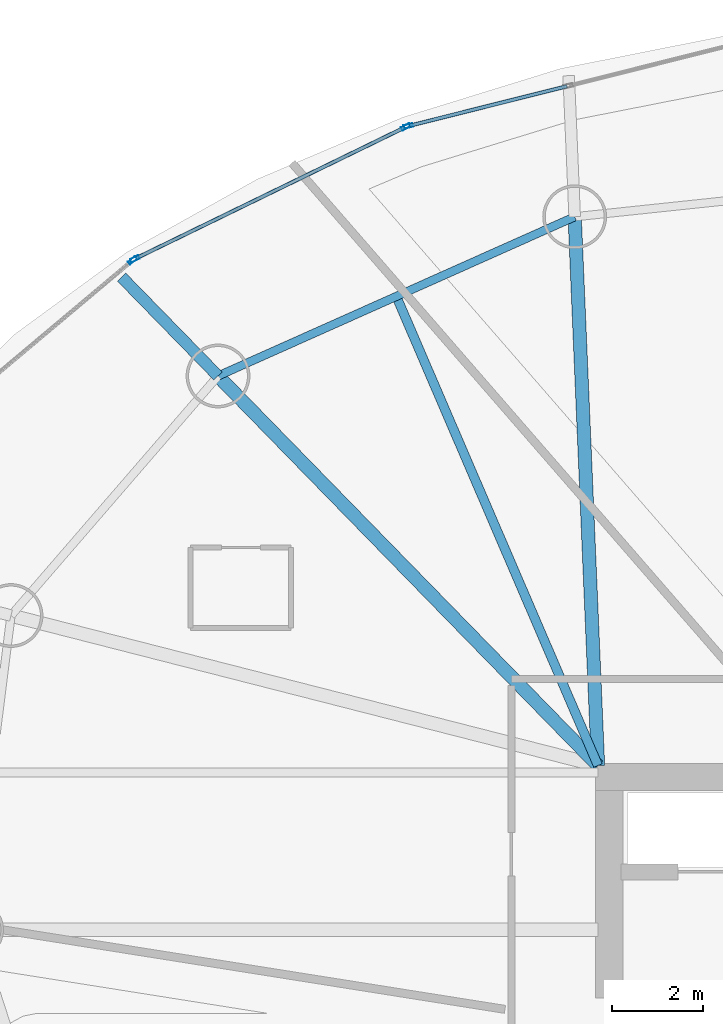
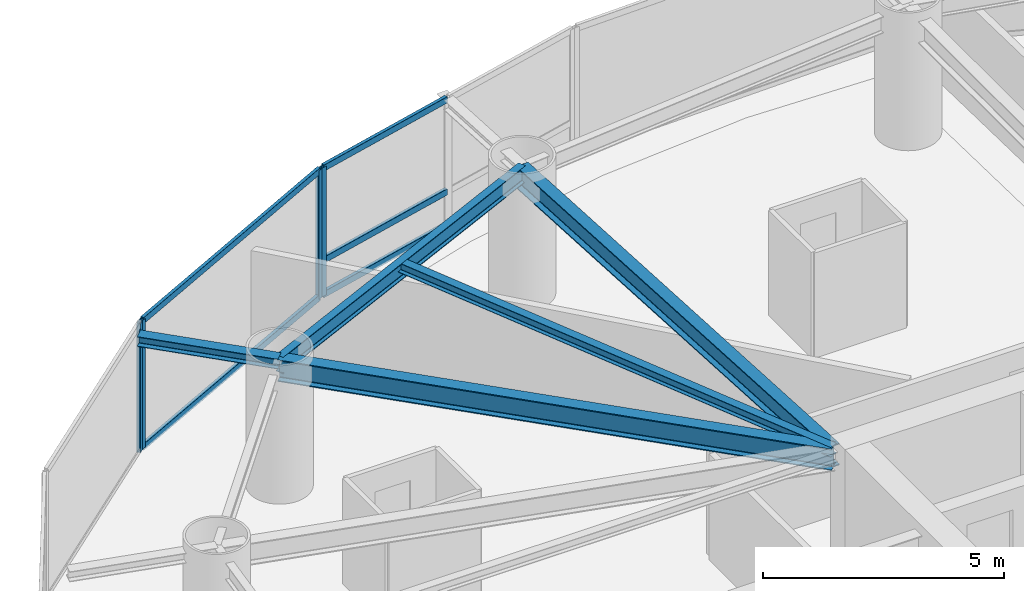
# One storey, part 8 of 20: 9 members, 5 beams, 3 elements without a shape of their own.
"""IFC4 building model written with IfcOpenShell, lengths in metres."""

from ifc_helpers import new_model, si_unit, direction, frame, origin, origin_2d, place, context, subcontext, project, spatial, hollow_rectangle, i_section, extrude, material, layer, layer_set, material_profile, profile_set, type_object, element, aggregate, save


model = new_model("IFC4")

# Units and contexts
model_context = context("Model", 3, precision=1e-05, world=origin(), true_north=direction((0.0, 1.0)))
body_context = subcontext(model_context, "Body", "Model", "MODEL_VIEW")
ifc_project = project(units=[si_unit("LENGTHUNIT", "METRE"), si_unit("AREAUNIT", "SQUARE_METRE"), si_unit("VOLUMEUNIT", "CUBIC_METRE"), si_unit("PLANEANGLEUNIT", "RADIAN"), si_unit("MASSUNIT", "GRAM", prefix="KILO")], contexts=[model_context])

# Site, building, storey
site_placement = place(None, origin())
site = spatial("IfcSite", under=ifc_project, at=site_placement, CompositionType="ELEMENT")
building_placement = place(site_placement, origin())
building = spatial("IfcBuilding", under=site, at=building_placement, Name="Bramvorn Convention Spire", CompositionType="ELEMENT")
storey_placement = place(building_placement, frame((0.0, 0.0, 113.300048828125)))
storey = spatial("IfcBuildingStorey", under=building, at=storey_placement, Name="L27", CompositionType="ELEMENT", Elevation=113.300048828125)

# Beams
ifc_material_1 = material(Name="Steel CSA G40.21 Grade 350 (350W)", Category="steel")
ifc_material_profile_1 = material_profile(ifc_material_1, i_section(OverallWidth=0.201904296875, OverallDepth=0.2470703125, WebThickness=0.00732421875, FlangeThickness=0.010986328125, FilletRadius=0.011962890625, at=origin_2d()))
ifc_profile_set_1 = profile_set([ifc_material_profile_1], Name="Steel CSA G40.21 Grade 350 (350W) - W250X49")
beam_type_1 = type_object("IfcBeamType", Name="BM-W250X49", PredefinedType="JOIST", material=ifc_profile_set_1)
beam_1_placement = place(storey_placement, frame((26.75, 33.449951171875, 3.136474609375), z_axis=(-0.394937739893, 0.918707886985, 0.0), x_axis=(-0.918707886985, -0.394937739893, 0.0)))
element("IfcBeam", 1, at=beam_1_placement, inside=storey, type_object=beam_type_1, Name="L27 composite floor joist 07", PredefinedType="JOIST", context=body_context, shape_type="SweptSolid", body=[
    extrude(i_section(OverallWidth=0.201904296875, OverallDepth=0.2470703125, WebThickness=0.00732421875, FlangeThickness=0.010986328125, FilletRadius=0.011962890625, at=origin_2d()), origin(), (0.0, 0.0, 1.0), 11.19384765625),
])
ifc_material_profile_2 = material_profile(ifc_material_1, i_section(OverallWidth=0.25390625, OverallDepth=0.2529296875, WebThickness=0.008544921875, FlangeThickness=0.01416015625, FilletRadius=0.011962890625, at=origin_2d()))
ifc_profile_set_2 = profile_set([ifc_material_profile_2], Name="Steel CSA G40.21 Grade 350 (350W) - W250X73")
beam_type_2 = type_object("IfcBeamType", Name="BM-W250X73", PredefinedType="BEAM", material=ifc_profile_set_2)
beam_2_placement = place(storey_placement, frame((18.420166015625, 41.9892578125, 3.133544921875), z_axis=(-0.698261365282, 0.71584290578, 0.0), x_axis=(-0.71584290578, -0.698261365282, 0.0)))
element("IfcBeam", 2, at=beam_2_placement, inside=storey, type_object=beam_type_2, Name="L27 slab-edge cantilever tip beam MC08", PredefinedType="BEAM", context=body_context, shape_type="SweptSolid", body=[
    extrude(i_section(OverallWidth=0.25390625, OverallDepth=0.2529296875, WebThickness=0.008544921875, FlangeThickness=0.01416015625, FilletRadius=0.011962890625, at=origin_2d()), origin(), (0.0, 0.0, 1.0), 3.027099609375),
])
ifc_material_profile_3 = material_profile(ifc_material_1, i_section(OverallWidth=0.180908203125, OverallDepth=0.4169921875, WebThickness=0.010986328125, FlangeThickness=0.018310546875, FilletRadius=0.01611328125, at=origin_2d()))
ifc_profile_set_3 = profile_set([ifc_material_profile_3], Name="Steel CSA G40.21 Grade 350 (350W) - W410X85")
beam_type_3 = type_object("IfcBeamType", Name="BM-W410X85", PredefinedType="JOIST", material=ifc_profile_set_3)
beam_3_placement = place(storey_placement, frame((26.23828125, 45.478759765625, 3.051513671875), z_axis=(-0.913169534701, -0.407579931908, 0.0), x_axis=(0.407579931908, -0.913169534701, 0.0)))
element("IfcBeam", 3, at=beam_3_placement, inside=storey, type_object=beam_type_3, Name="L27 mega-column ring beam 07", PredefinedType="JOIST", context=body_context, shape_type="SweptSolid", body=[
    extrude(i_section(OverallWidth=0.180908203125, OverallDepth=0.4169921875, WebThickness=0.010986328125, FlangeThickness=0.018310546875, FilletRadius=0.01611328125, at=origin_2d()), origin(), (0.0, 0.0, 1.0), 8.5615234375),
])
ifc_material_profile_4 = material_profile(ifc_material_1, i_section(OverallWidth=0.2919921875, OverallDepth=0.551025390625, WebThickness=0.01513671875, FlangeThickness=0.0244140625, FilletRadius=0.01904296875, at=origin_2d()))
ifc_profile_set_4 = profile_set([ifc_material_profile_4], Name="Steel CSA G40.21 Grade 350 (350W) - W530X182")
beam_type_4 = type_object("IfcBeamType", Name="BM-W530X182", PredefinedType="BEAM", material=ifc_profile_set_4)
beam_4_placement = place(storey_placement, frame((26.75, 33.449951171875, 2.984375), z_axis=(-0.042502657955, 0.999096353745, 0.0), x_axis=(-0.999096353745, -0.042502657955, 0.0)))
element("IfcBeam", 4, at=beam_4_placement, inside=storey, type_object=beam_type_4, Name="L27 radial floor girder MC07", PredefinedType="BEAM", context=body_context, shape_type="SweptSolid", body=[
    extrude(i_section(OverallWidth=0.2919921875, OverallDepth=0.551025390625, WebThickness=0.01513671875, FlangeThickness=0.0244140625, FilletRadius=0.01904296875, at=origin_2d()), origin(), (0.0, 0.0, 1.0), 12.039794921875),
])
beam_5_placement = place(storey_placement, frame((26.75, 33.449951171875, 2.984375), z_axis=(-0.698272445638, 0.715832097397, 0.0), x_axis=(-0.715832097397, -0.698272445638, 0.0)))
element("IfcBeam", 5, at=beam_5_placement, inside=storey, type_object=beam_type_4, Name="L27 radial floor girder MC08", PredefinedType="BEAM", context=body_context, shape_type="SweptSolid", body=[
    extrude(i_section(OverallWidth=0.2919921875, OverallDepth=0.551025390625, WebThickness=0.01513671875, FlangeThickness=0.0244140625, FilletRadius=0.01904296875, at=origin_2d()), origin(), (0.0, 0.0, 1.0), 11.92919921875),
])

# Curtain wall, member
ifc_material_2 = material(Name="Anodised Bronze Unitised Curtain Wall", Category="aluminium")
ifc_layer = layer(ifc_material_2, 0.179931640625)
ifc_layer_set = layer_set([ifc_layer], Name="Anodised Bronze Unitised Curtain Wall - CW-HTL-FRIT")
curtain_wall_type = type_object("IfcCurtainWallType", Name="CW-HTL-FRIT", PredefinedType="USERDEFINED", material=ifc_layer_set)
curtain_wall_1_placement = place(storey_placement, origin())
curtain_wall_1 = element("IfcCurtainWall", 6, at=curtain_wall_1_placement, inside=storey, type_object=curtain_wall_type, Name="L27 fritted glass curtain wall 09", ObjectType="UNITISED CURTAIN WALL", PredefinedType="USERDEFINED")
ifc_material_3 = material(Name="Anodised Bronze Aluminium 6063-T6", Category="aluminium")
ifc_material_profile_5 = material_profile(ifc_material_3, hollow_rectangle(XDim=0.080078125, YDim=0.199951171875, WallThickness=0.00390625, InnerFilletRadius=0.0009765625, OuterFilletRadius=0.00390625, at=origin_2d()))
ifc_profile_set_5 = profile_set([ifc_material_profile_5], Name="Anodised Bronze Aluminium 6063-T6 - CWM80X200")
member_type_1 = type_object("IfcMemberType", Name="CW-MUL-180", PredefinedType="MULLION", material=ifc_profile_set_5)
member_1_placement = place(storey_placement, frame((22.591796875, 47.46826171875, 0.0), z_axis=(0.0, 0.0, 1.0), x_axis=(-0.243203518497, 0.969975282464, 0.0)))
member_1 = element("IfcMember", 7, at=member_1_placement, type_object=member_type_1, Name="CW2 mullion 1", PredefinedType="MULLION", context=body_context, shape_type="SweptSolid", body=[
    extrude(hollow_rectangle(XDim=0.080078125, YDim=0.199951171875, WallThickness=0.00390625, InnerFilletRadius=0.0009765625, OuterFilletRadius=0.00390625, at=origin_2d()), origin(), (0.0, 0.0, 1.0), 3.260009765625),
])

# Curtain wall, members
curtain_wall_2_placement = place(storey_placement, origin())
curtain_wall_2 = element("IfcCurtainWall", 8, at=curtain_wall_2_placement, inside=storey, type_object=curtain_wall_type, Name="L27 fritted glass curtain wall 10", ObjectType="UNITISED CURTAIN WALL", PredefinedType="USERDEFINED")
member_2_placement = place(storey_placement, frame((16.59716796875, 44.55615234375, 0.0), z_axis=(0.0, 0.0, 1.0), x_axis=(-0.437790638754, 0.899076946996, 0.0)))
member_2 = element("IfcMember", 9, at=member_2_placement, type_object=member_type_1, Name="CW2 mullion 1", PredefinedType="MULLION", context=body_context, shape_type="SweptSolid", body=[
    extrude(hollow_rectangle(XDim=0.080078125, YDim=0.199951171875, WallThickness=0.00390625, InnerFilletRadius=0.0009765625, OuterFilletRadius=0.00390625, at=origin_2d()), origin(), (0.0, 0.0, 1.0), 3.260009765625),
])
member_3_placement = place(storey_placement, frame((22.53564453125, 47.44775390625, 0.0), z_axis=(0.0, 0.0, 1.0), x_axis=(-0.437790638754, 0.899076946996, 0.0)))
member_3 = element("IfcMember", 10, at=member_3_placement, type_object=member_type_1, Name="CW2 mullion 2", PredefinedType="MULLION", context=body_context, shape_type="SweptSolid", body=[
    extrude(hollow_rectangle(XDim=0.080078125, YDim=0.199951171875, WallThickness=0.00390625, InnerFilletRadius=0.0009765625, OuterFilletRadius=0.00390625, at=origin_2d()), origin(), (0.0, 0.0, 1.0), 3.260009765625),
])

# Curtain wall, member
curtain_wall_3_placement = place(storey_placement, origin())
curtain_wall_3 = element("IfcCurtainWall", 11, at=curtain_wall_3_placement, inside=storey, type_object=curtain_wall_type, Name="L27 fritted glass curtain wall 11", ObjectType="UNITISED CURTAIN WALL", PredefinedType="USERDEFINED")
member_4_placement = place(storey_placement, frame((16.54736328125, 44.523681640625, 0.0), z_axis=(0.0, 0.0, 1.0), x_axis=(-0.642889961589, 0.765958548022, 0.0)))
member_4 = element("IfcMember", 12, at=member_4_placement, type_object=member_type_1, Name="CW2 mullion 2", PredefinedType="MULLION", context=body_context, shape_type="SweptSolid", body=[
    extrude(hollow_rectangle(XDim=0.080078125, YDim=0.199951171875, WallThickness=0.00390625, InnerFilletRadius=0.0009765625, OuterFilletRadius=0.00390625, at=origin_2d()), origin(), (0.0, 0.0, 1.0), 3.260009765625),
])
aggregate(curtain_wall_3, [member_4])

# Member
ifc_material_profile_6 = material_profile(ifc_material_3, hollow_rectangle(XDim=0.080078125, YDim=0.159912109375, WallThickness=0.00390625, InnerFilletRadius=0.0009765625, OuterFilletRadius=0.00390625, at=origin_2d()))
ifc_profile_set_6 = profile_set([ifc_material_profile_6], Name="Anodised Bronze Aluminium 6063-T6 - CWT80X160")
member_type_2 = type_object("IfcMemberType", Name="CW-TRN-150", PredefinedType="USERDEFINED", material=ifc_profile_set_6)
member_5_placement = place(storey_placement, frame((22.620849609375, 47.4755859375, 0.030029296875), z_axis=(0.969980739955, 0.243181751198, 0.0), x_axis=(-0.243181751198, 0.969980739955, 0.0)))
member_5 = element("IfcMember", 13, at=member_5_placement, type_object=member_type_2, Name="CW2 transom 1.1", ObjectType="TRANSOM", PredefinedType="USERDEFINED", context=body_context, shape_type="SweptSolid", body=[
    extrude(hollow_rectangle(XDim=0.080078125, YDim=0.159912109375, WallThickness=0.00390625, InnerFilletRadius=0.0009765625, OuterFilletRadius=0.00390625, at=origin_2d()), origin(), (0.0, 0.0, 1.0), 3.555908203125),
])

member_6_placement = place(storey_placement, frame((22.620849609375, 47.4755859375, 0.89990234375), z_axis=(0.969980739955, 0.243181751198, 0.0), x_axis=(-0.243181751198, 0.969980739955, 0.0)))
member_6 = element("IfcMember", 14, at=member_6_placement, type_object=member_type_2, Name="CW2 transom 1.2", ObjectType="TRANSOM", PredefinedType="USERDEFINED", context=body_context, shape_type="SweptSolid", body=[
    extrude(hollow_rectangle(XDim=0.080078125, YDim=0.159912109375, WallThickness=0.00390625, InnerFilletRadius=0.0009765625, OuterFilletRadius=0.00390625, at=origin_2d()), origin(), (0.0, 0.0, 1.0), 3.555908203125),
])

member_7_placement = place(storey_placement, frame((22.620849609375, 47.4755859375, 3.22998046875), z_axis=(0.969980739955, 0.243181751198, 0.0), x_axis=(-0.243181751198, 0.969980739955, 0.0)))
member_7 = element("IfcMember", 15, at=member_7_placement, type_object=member_type_2, Name="CW2 transom 1.3", ObjectType="TRANSOM", PredefinedType="USERDEFINED", context=body_context, shape_type="SweptSolid", body=[
    extrude(hollow_rectangle(XDim=0.080078125, YDim=0.159912109375, WallThickness=0.00390625, InnerFilletRadius=0.0009765625, OuterFilletRadius=0.00390625, at=origin_2d()), origin(), (0.0, 0.0, 1.0), 3.555908203125),
])

aggregate(curtain_wall_1, [member_1, member_5, member_6, member_7])

member_8_placement = place(storey_placement, frame((16.624267578125, 44.5693359375, 0.030029296875), z_axis=(0.899085123719, 0.437773846076, 0.0), x_axis=(-0.437773846076, 0.899085123719, 0.0)))
member_8 = element("IfcMember", 16, at=member_8_placement, type_object=member_type_2, Name="CW2 transom 1.1", ObjectType="TRANSOM", PredefinedType="USERDEFINED", context=body_context, shape_type="SweptSolid", body=[
    extrude(hollow_rectangle(XDim=0.080078125, YDim=0.159912109375, WallThickness=0.00390625, InnerFilletRadius=0.0009765625, OuterFilletRadius=0.00390625, at=origin_2d()), origin(), (0.0, 0.0, 1.0), 6.544921875),
])

member_9_placement = place(storey_placement, frame((16.624267578125, 44.5693359375, 3.22998046875), z_axis=(0.899085123719, 0.437773846076, 0.0), x_axis=(-0.437773846076, 0.899085123719, 0.0)))
member_9 = element("IfcMember", 17, at=member_9_placement, type_object=member_type_2, Name="CW2 transom 1.2", ObjectType="TRANSOM", PredefinedType="USERDEFINED", context=body_context, shape_type="SweptSolid", body=[
    extrude(hollow_rectangle(XDim=0.080078125, YDim=0.159912109375, WallThickness=0.00390625, InnerFilletRadius=0.0009765625, OuterFilletRadius=0.00390625, at=origin_2d()), origin(), (0.0, 0.0, 1.0), 6.544921875),
])

aggregate(curtain_wall_2, [member_2, member_3, member_8, member_9])

save(model, "model.ifc")
